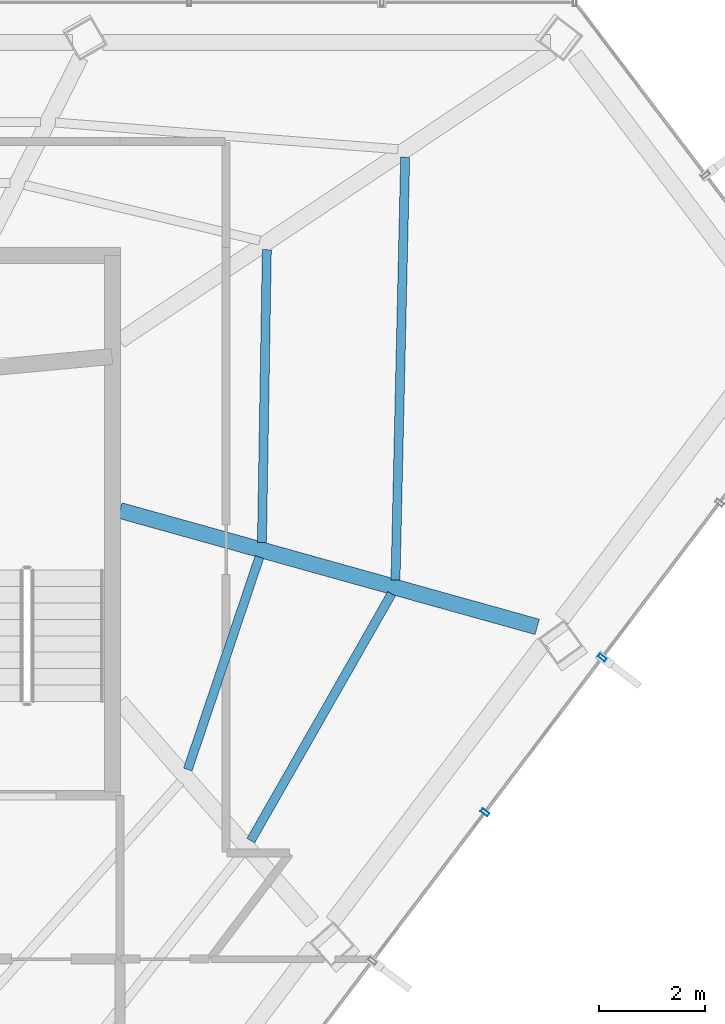
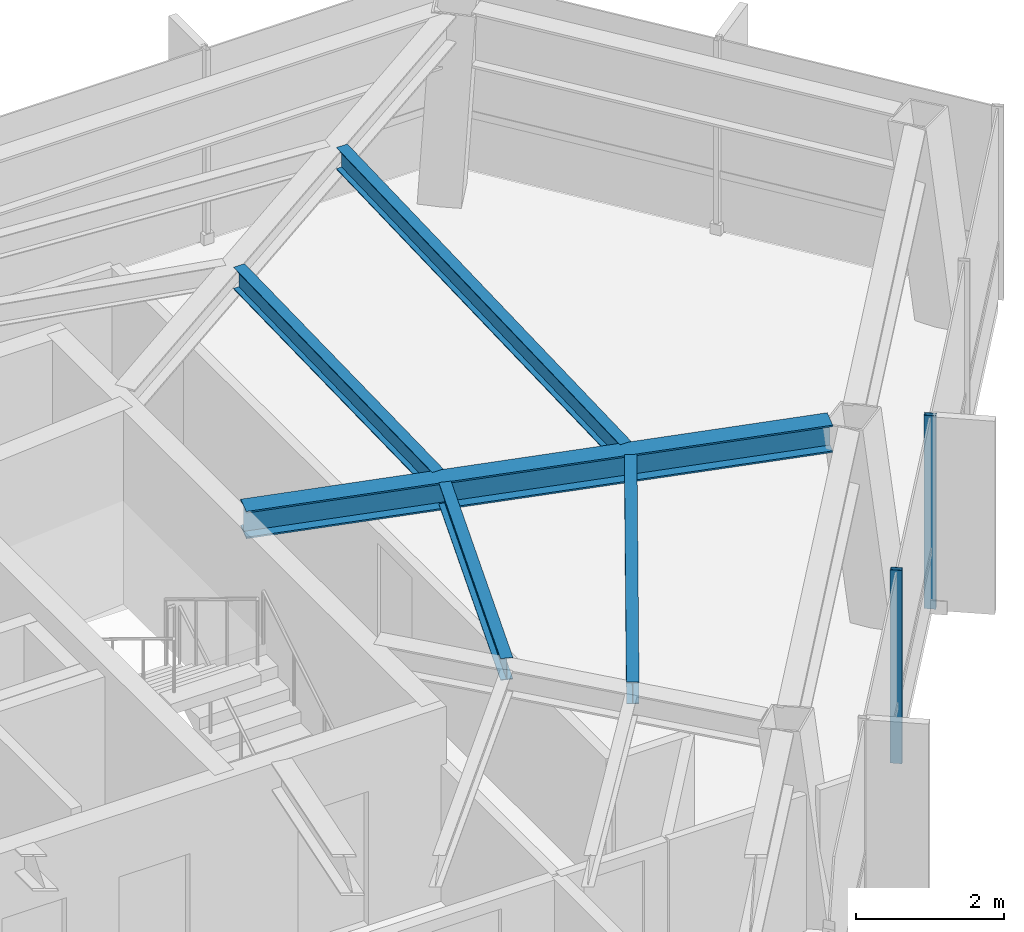
# One storey, part 19 of 27: 5 beams, 2 members, 1 element without a shape of its own.
"""IFC4 building model written with IfcOpenShell, lengths in metres."""

import ifcopenshell
import ifcopenshell.guid

model = None  # the IFC model being written
_history = None  # IfcOwnerHistory: only IFC2X3 demands one
_inside = {}  # id of a spatial element -> (the spatial element, [elements in it])
_under = {}  # id of a project, library or spatial element -> (it, [spatial elements below it])
_declared = {}  # id of a project -> (the project, [libraries it declares])
_typed = {}  # id of a type object -> (the type object, [elements of that type])
_made_of = {}  # id of a material, layer set ... -> (it, [elements and type objects made of it])


def new_model(schema):
    """Start an empty IFC model of exactly this schema.

    Asked for "IFC4X3", IfcOpenShell would pick the latest addendum, in which some entities
    have other attributes; the version numbers below select the first issue.
    IFC2X3 requires an IfcOwnerHistory on every rooted entity: one is made here for all.
    """
    global model, _history
    if schema == "IFC4X3":
        model = ifcopenshell.file(schema_version=(4, 3, 0, 0))
    else:
        model = ifcopenshell.file(schema=schema)
    _inside.clear()
    _under.clear()
    _declared.clear()
    _typed.clear()
    _made_of.clear()
    _history = None
    if model.schema == "IFC2X3":
        org = make("IfcOrganization", Name="unknown")
        user = make(
            "IfcPersonAndOrganization",
            ThePerson=make("IfcPerson", FamilyName="unknown"),
            TheOrganization=org,
        )
        app = make(
            "IfcApplication",
            ApplicationDeveloper=org,
            Version="unknown",
            ApplicationFullName="unknown",
            ApplicationIdentifier="unknown",
        )
        _history = make(
            "IfcOwnerHistory",
            OwningUser=user,
            OwningApplication=app,
            ChangeAction="ADDED",
            CreationDate=0,
        )
    return model


def make(cls, **values):
    """One entity of the class cls with the attributes given. An attribute that is None is left unset."""
    return model.create_entity(
        cls, **{name: value for name, value in values.items() if value is not None}
    )


def rooted(cls, **values):
    """An entity with a GlobalId (a new one), such as an element, a storey or a relation."""
    return make(cls, GlobalId=ifcopenshell.guid.new(), OwnerHistory=_history, **values)


def si_unit(unit_type, name, prefix=None):
    """IfcSIUnit, for example si_unit("LENGTHUNIT", "METRE", prefix="MILLI")."""
    return make("IfcSIUnit", UnitType=unit_type, Prefix=prefix, Name=name)


def assignment(units):
    """IfcUnitAssignment: the units of a project."""
    return None if units is None else make("IfcUnitAssignment", Units=units)


def point(xyz):
    """IfcCartesianPoint."""
    return None if xyz is None else make("IfcCartesianPoint", Coordinates=xyz)


def direction(xyz):
    """IfcDirection."""
    return None if xyz is None else make("IfcDirection", DirectionRatios=xyz)


def frame(location, z_axis=None, x_axis=None):
    """IfcAxis2Placement3D, a coordinate frame: its origin and axes. An axis left out is left unset."""
    return make(
        "IfcAxis2Placement3D",
        Location=point(location),
        Axis=direction(z_axis),
        RefDirection=direction(x_axis),
    )


def frame_2d(location, x_axis=None):
    """IfcAxis2Placement2D, a coordinate frame in the plane: its origin and x axis."""
    return make(
        "IfcAxis2Placement2D", Location=point(location), RefDirection=direction(x_axis)
    )


def origin():
    """The frame at (0, 0, 0) with its axes left unset."""
    return frame((0.0, 0.0, 0.0))


def origin_2d():
    """The frame at (0, 0) in the plane with its x axis left unset."""
    return frame_2d((0.0, 0.0))


def place(relative_to, where):
    """IfcLocalPlacement: puts the frame where relative to a parent placement (None: the world)."""
    return make(
        "IfcLocalPlacement", PlacementRelTo=relative_to, RelativePlacement=where
    )


def context(
    kind, dimensions, precision=None, world=None, true_north=None, identifier=None
):
    """IfcGeometricRepresentationContext, for example the 3D "Model" context."""
    return make(
        "IfcGeometricRepresentationContext",
        ContextIdentifier=identifier,
        ContextType=kind,
        CoordinateSpaceDimension=dimensions,
        Precision=precision,
        WorldCoordinateSystem=world,
        TrueNorth=true_north,
    )


def subcontext(parent, identifier, kind, view, scale=None):
    """IfcGeometricRepresentationSubContext, for example "Body" below "Model"."""
    return make(
        "IfcGeometricRepresentationSubContext",
        ContextIdentifier=identifier,
        ContextType=kind,
        ParentContext=parent,
        TargetScale=scale,
        TargetView=view,
    )


def project(units=None, contexts=None):
    """IfcProject with its units and contexts."""
    return rooted(
        "IfcProject",
        Name="project",
        RepresentationContexts=contexts,
        UnitsInContext=assignment(units),
    )


def spatial(cls, under=None, at=None, **own):
    """A site, building, storey or space (cls), placed at a placement, below another one or the project."""
    s = rooted(cls, ObjectPlacement=at, **own)
    if under is not None:
        _under.setdefault(under.id(), (under, []))[1].append(s)
    return s


def profile(cls, at=None, kind="AREA", **sizes):
    """A parametric profile (cls). Its sizes go by their IFC names, for example OverallWidth=200.0."""
    return make(cls, ProfileType=kind, Position=at, **sizes)


def hollow_rectangle(**sizes):
    """IfcRectangleHollowProfileDef."""
    return profile("IfcRectangleHollowProfileDef", **sizes)


def i_section(**sizes):
    """IfcIShapeProfileDef."""
    return profile("IfcIShapeProfileDef", **sizes)


def extrude(swept, where, along, depth):
    """IfcExtrudedAreaSolid: the profile swept, set in the frame where, extruded along a direction by depth."""
    return make(
        "IfcExtrudedAreaSolid",
        SweptArea=swept,
        Position=where,
        ExtrudedDirection=direction(along),
        Depth=depth,
    )


def shape(context_of_items, identifier, shape_type, items):
    """IfcShapeRepresentation: the items that make up one representation, for example the "Body"."""
    return make(
        "IfcShapeRepresentation",
        ContextOfItems=context_of_items,
        RepresentationIdentifier=identifier,
        RepresentationType=shape_type,
        Items=items,
    )


def material(Name=None, Category=None):
    """IfcMaterial."""
    return make("IfcMaterial", Name=Name, Category=Category)


def layer(
    of_material, thickness, ventilated=None, Name=None, Category=None, Priority=None
):
    """IfcMaterialLayer: one layer of a wall or slab, of a material (None: an air gap)."""
    return make(
        "IfcMaterialLayer",
        Material=of_material,
        LayerThickness=thickness,
        IsVentilated=ventilated,
        Name=Name,
        Category=Category,
        Priority=Priority,
    )


def layer_set(layers, Name=None):
    """IfcMaterialLayerSet."""
    return make("IfcMaterialLayerSet", MaterialLayers=layers, LayerSetName=Name)


def material_profile(
    of_material, cross_section, Name=None, Category=None, Priority=None
):
    """IfcMaterialProfile: a cross section and its material."""
    return make(
        "IfcMaterialProfile",
        Name=Name,
        Material=of_material,
        Profile=cross_section,
        Priority=Priority,
        Category=Category,
    )


def profile_set(profiles, Name=None, composite=None):
    """IfcMaterialProfileSet."""
    return make(
        "IfcMaterialProfileSet",
        Name=Name,
        MaterialProfiles=profiles,
        CompositeProfile=composite,
    )


def made_of(thing, what):
    """Note that an element or type object is made of a material, layer set ...; save() writes the relation."""
    if what is not None:
        _made_of.setdefault(what.id(), (what, []))[1].append(thing)
    return thing


def type_object(cls, material=None, **own):
    """A type object (cls), such as IfcWallType, which elements share."""
    return made_of(rooted(cls, **own), material)


def element(
    cls,
    number,
    at=None,
    inside=None,
    cuts=None,
    type_object=None,
    material=None,
    context=None,
    identifier="Body",
    shape_type=None,
    held_by="IfcProductDefinitionShape",
    body=None,
    shapes=None,
    **own,
):
    """One element of the class cls, such as IfcWall. Its Tag is "e" and its number.

    at: its placement. inside: the storey or other place that contains it. cuts: it is an
    opening in that element (IfcRelVoidsElement). A single representation is given by context,
    identifier, shape_type and body (its items); several are given by shapes. held_by: the class
    of the entity that holds the representations. save() writes the other relations.
    """
    e = rooted(cls, Tag="e%d" % number, ObjectPlacement=at, **own)
    if body is not None:
        shapes = [shape(context, identifier, shape_type, body)]
    if shapes is not None:
        e.Representation = make(held_by, Representations=shapes)
    if inside is not None:
        _inside.setdefault(inside.id(), (inside, []))[1].append(e)
    if cuts is not None:
        rooted(
            "IfcRelVoidsElement", RelatingBuildingElement=cuts, RelatedOpeningElement=e
        )
    if type_object is not None:
        _typed.setdefault(type_object.id(), (type_object, []))[1].append(e)
    return made_of(e, material)


def aggregate(whole, parts):
    """IfcRelAggregates: a whole, such as a stair, and the parts it consists of."""
    return rooted("IfcRelAggregates", RelatingObject=whole, RelatedObjects=parts)


def save(model, path):
    """Write the relations noted so far, then the file.

    IfcRelAggregates (storeys below a building ...), IfcRelContainedInSpatialStructure (elements
    in a storey), IfcRelDefinesByType, IfcRelAssociatesMaterial and IfcRelDeclares: one each for
    every whole, place, type object, material and project.
    """
    for whole, parts in _under.values():
        aggregate(whole, parts)
    for where, things in _inside.values():
        rooted(
            "IfcRelContainedInSpatialStructure",
            RelatedElements=things,
            RelatingStructure=where,
        )
    for kind, things in _typed.values():
        rooted("IfcRelDefinesByType", RelatedObjects=things, RelatingType=kind)
    for what, things in _made_of.values():
        rooted("IfcRelAssociatesMaterial", RelatedObjects=things, RelatingMaterial=what)
    for by, libraries in _declared.values():
        rooted("IfcRelDeclares", RelatingContext=by, RelatedDefinitions=libraries)
    model.write(path)


model = new_model("IFC4")

# Units and contexts
model_context = context("Model", 3, precision=1e-05, world=origin(), true_north=direction((0.0, 1.0)))
body_context = subcontext(model_context, "Body", "Model", "MODEL_VIEW")
ifc_project = project(units=[si_unit("LENGTHUNIT", "METRE"), si_unit("AREAUNIT", "SQUARE_METRE"), si_unit("VOLUMEUNIT", "CUBIC_METRE"), si_unit("PLANEANGLEUNIT", "RADIAN"), si_unit("MASSUNIT", "GRAM", prefix="KILO")], contexts=[model_context])

# Site, building, storey
site_placement = place(None, origin())
site = spatial("IfcSite", under=ifc_project, at=site_placement, CompositionType="ELEMENT")
building_placement = place(site_placement, origin())
building = spatial("IfcBuilding", under=site, at=building_placement, Name="Zarrinselat Tower", CompositionType="ELEMENT")
storey_placement = place(building_placement, frame((0.0, 0.0, 235.9599609375)))
storey = spatial("IfcBuildingStorey", under=building, at=storey_placement, Name="L59", CompositionType="ELEMENT", Elevation=235.9599609375)

# Beams
ifc_material_1 = material(Name="Steel S355J2", Category="steel")
ifc_material_profile_1 = material_profile(ifc_material_1, i_section(OverallWidth=0.300048828125, OverallDepth=0.449951171875, WebThickness=0.013916015625, FlangeThickness=0.02587890625, at=origin_2d()), Name="HEB 450")
ifc_profile_set_1 = profile_set([ifc_material_profile_1], Name="Steel S355J2")
beam_type_1 = type_object("IfcBeamType", Name="BM-HEB450", PredefinedType="BEAM", material=ifc_profile_set_1)
beam_1_placement = place(storey_placement, frame((48.35009765625, 38.60009765625, 2.955078125), z_axis=(0.963213775513, -0.26873634414, 0.0), x_axis=(0.26873634414, 0.963213775513, 0.0)))
element("IfcBeam", 1, at=beam_1_placement, inside=storey, type_object=beam_type_1, Name="L59 Radial Primary Girder RG14", PredefinedType="BEAM", context=body_context, shape_type="SweptSolid", body=[
    extrude(i_section(OverallWidth=0.300048828125, OverallDepth=0.449951171875, WebThickness=0.013916015625, FlangeThickness=0.02587890625, at=origin_2d()), origin(), (0.0, 0.0, 1.0), 8.158935546875),
])
ifc_material_2 = material(Name="Steel S355J2", Category="steel")
ifc_material_profile_2 = material_profile(ifc_material_2, i_section(OverallWidth=0.169921875, OverallDepth=0.360107421875, WebThickness=0.008056640625, FlangeThickness=0.0126953125, at=origin_2d()), Name="IPE 360")
ifc_profile_set_2 = profile_set([ifc_material_profile_2], Name="Steel S355J2")
beam_type_2 = type_object("IfcBeamType", Name="BM-IPE360", PredefinedType="JOIST", material=ifc_profile_set_2)
beam_2_placement = place(storey_placement, frame((50.81494140625, 32.3818359375, 3.0), z_axis=(0.495544498514, 0.868582552204, 0.0), x_axis=(-0.868582552204, 0.495544498514, 0.0)))
element("IfcBeam", 2, at=beam_2_placement, inside=storey, type_object=beam_type_2, Name="L59 Composite Floor Joist 4-1", PredefinedType="JOIST", context=body_context, shape_type="SweptSolid", body=[
    extrude(i_section(OverallWidth=0.169921875, OverallDepth=0.360107421875, WebThickness=0.008056640625, FlangeThickness=0.0126953125, at=origin_2d()), origin(), (0.0, 0.0, 1.0), 5.352783203125),
])
beam_3_placement = place(storey_placement, frame((49.62890625, 33.72119140625, 3.0), z_axis=(0.319383417207, 0.947625576276, 0.0), x_axis=(-0.947625576276, 0.319383417207, 0.0)))
element("IfcBeam", 3, at=beam_3_placement, inside=storey, type_object=beam_type_2, Name="L59 Composite Floor Joist 4-2", PredefinedType="JOIST", context=body_context, shape_type="SweptSolid", body=[
    extrude(i_section(OverallWidth=0.169921875, OverallDepth=0.360107421875, WebThickness=0.008056640625, FlangeThickness=0.0126953125, at=origin_2d()), origin(), (0.0, 0.0, 1.0), 4.221923828125),
])
beam_4_placement = place(storey_placement, frame((53.540283203125, 37.29296875, 3.0), z_axis=(0.022844694485, 0.999739025913, 0.0), x_axis=(-0.999739025913, 0.022844694485, 0.0)))
element("IfcBeam", 4, at=beam_4_placement, inside=storey, type_object=beam_type_2, Name="L59 Composite Floor Joist 5-1", PredefinedType="JOIST", context=body_context, shape_type="SweptSolid", body=[
    extrude(i_section(OverallWidth=0.169921875, OverallDepth=0.360107421875, WebThickness=0.008056640625, FlangeThickness=0.0126953125, at=origin_2d()), origin(), (0.0, 0.0, 1.0), 7.9619140625),
])
beam_5_placement = place(storey_placement, frame((51.0244140625, 37.994384765625, 3.0), z_axis=(0.016727024358, 0.999860093541, 0.0), x_axis=(-0.999860093541, 0.016727024358, 0.0)))
element("IfcBeam", 5, at=beam_5_placement, inside=storey, type_object=beam_type_2, Name="L59 Composite Floor Joist 5-2", PredefinedType="JOIST", context=body_context, shape_type="SweptSolid", body=[
    extrude(i_section(OverallWidth=0.169921875, OverallDepth=0.360107421875, WebThickness=0.008056640625, FlangeThickness=0.0126953125, at=origin_2d()), origin(), (0.0, 0.0, 1.0), 5.51708984375),
])

# Curtain wall, members
ifc_material_3 = material(Name="Extruded Aluminium Alloy EN AW-6063 T6", Category="aluminium")
ifc_layer = layer(ifc_material_3, 0.169921875)
ifc_layer_set = layer_set([ifc_layer], Name="Extruded Aluminium Alloy EN AW-6063 T6")
curtain_wall_type = type_object("IfcCurtainWallType", Name="CWS-RES", PredefinedType="NOTDEFINED", material=ifc_layer_set)
curtain_wall_placement = place(storey_placement, origin())
curtain_wall = element("IfcCurtainWall", 6, at=curtain_wall_placement, inside=storey, type_object=curtain_wall_type, Name="L59 Unitised Curtain Wall CW-L59-E05", PredefinedType="NOTDEFINED")
ifc_material_4 = material(Name="Extruded Aluminium Alloy EN AW-6063 T6", Category="aluminium")
ifc_material_profile_3 = material_profile(ifc_material_4, hollow_rectangle(XDim=0.070068359375, YDim=0.159912109375, WallThickness=0.00390625, at=origin_2d()), Name="RHS 160x70x4")
ifc_profile_set_3 = profile_set([ifc_material_profile_3], Name="Extruded Aluminium Alloy EN AW-6063 T6")
member_type = type_object("IfcMemberType", Name="MEM-CW-MUL2", PredefinedType="MULLION", material=ifc_profile_set_3)
member_1_placement = place(storey_placement, frame((55.22509765625, 32.913330078125, 0.0), z_axis=(0.0, 0.0, 1.0), x_axis=(0.603858872188, 0.797091251037, 0.0)))
member_1 = element("IfcMember", 7, at=member_1_placement, type_object=member_type, Name="CW-L59-E05 Mullion 6", PredefinedType="MULLION", context=body_context, shape_type="SweptSolid", body=[
    extrude(hollow_rectangle(XDim=0.070068359375, YDim=0.159912109375, WallThickness=0.00390625, at=origin_2d()), origin(), (0.0, 0.0, 1.0), 3.179931640625),
])
member_2_placement = place(storey_placement, frame((57.43408203125, 35.829345703125, 0.0), z_axis=(0.0, 0.0, 1.0), x_axis=(0.603858872188, 0.797091251037, 0.0)))
member_2 = element("IfcMember", 8, at=member_2_placement, type_object=member_type, Name="CW-L59-E05 Mullion 7", PredefinedType="MULLION", context=body_context, shape_type="SweptSolid", body=[
    extrude(hollow_rectangle(XDim=0.070068359375, YDim=0.159912109375, WallThickness=0.00390625, at=origin_2d()), origin(), (0.0, 0.0, 1.0), 3.179931640625),
])
aggregate(curtain_wall, [member_1, member_2])

save(model, "model.ifc")
